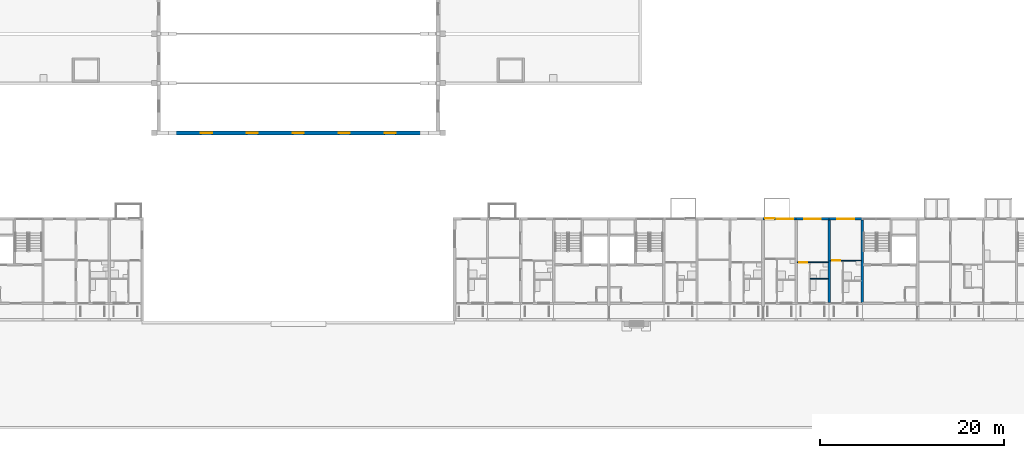
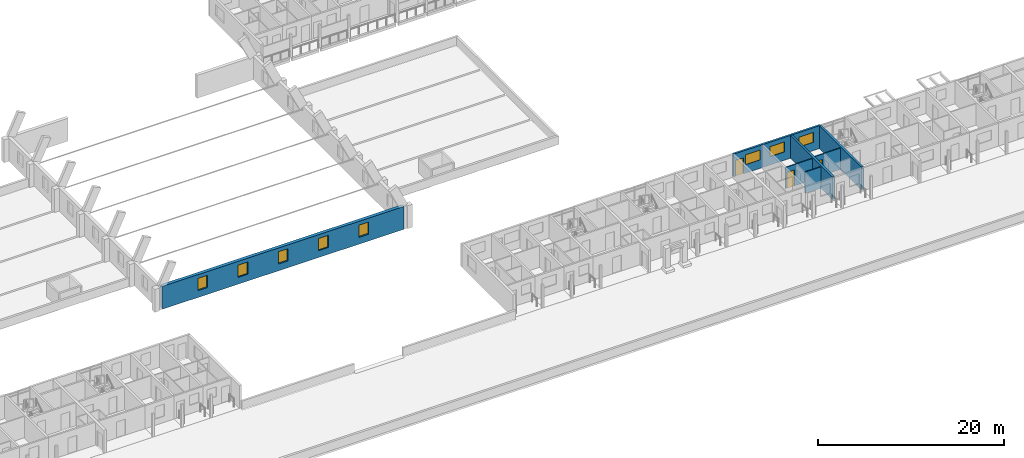
# One storey, part 60 of 115: 9 walls, 8 windows, 3 doors, 11 openings.
"""IFC4 building model written with IfcOpenShell, lengths in metres."""

from ifc_helpers import new_model, si_unit, direction, frame, frame_2d, origin, place, context, subcontext, project, spatial, rectangle, extrude, material, layer, layer_set, type_object, element, fill, save


model = new_model("IFC4")

# Units and contexts
model_context = context("Model", 3, precision=1e-05, world=origin(), true_north=direction((0.0, 1.0)))
body_context = subcontext(model_context, "Body", "Model", "MODEL_VIEW")
ifc_project = project(units=[si_unit("LENGTHUNIT", "METRE"), si_unit("AREAUNIT", "SQUARE_METRE"), si_unit("VOLUMEUNIT", "CUBIC_METRE"), si_unit("PLANEANGLEUNIT", "RADIAN"), si_unit("MASSUNIT", "GRAM", prefix="KILO")], contexts=[model_context])

# Site, building, storey
site_placement = place(None, origin())
site = spatial("IfcSite", under=ifc_project, at=site_placement, CompositionType="ELEMENT")
building_placement = place(site_placement, origin())
building = spatial("IfcBuilding", under=site, at=building_placement, Name="Ridgestep Commons", CompositionType="ELEMENT")
storey_placement = place(building_placement, frame((0.0, 0.0, 6.0)))
storey = spatial("IfcBuildingStorey", under=building, at=storey_placement, Name="L02", CompositionType="ELEMENT", Elevation=6.0)

# Walls
ifc_material_1 = material(Name="Concrete C30/37", Category="concrete")
ifc_layer_1 = layer(ifc_material_1, 0.25)
ifc_layer_set_1 = layer_set([ifc_layer_1], Name="Core cross wall 250")
wall_type_1 = type_object("IfcWallType", Name="Core cross wall 250", PredefinedType="SHEAR", material=ifc_layer_set_1)
wall_1_placement = place(storey_placement, frame((191.199951171875, 13.75, 0.0), z_axis=(0.0, 0.0, 1.0), x_axis=(0.0, 1.0, 0.0)))
element("IfcWall", 1, at=wall_1_placement, inside=storey, type_object=wall_type_1, Name="Cross wall D-02-1912", PredefinedType="SHEAR", context=body_context, shape_type="SweptSolid", body=[
    extrude(rectangle(XDim=9.0, YDim=0.25, at=frame_2d((4.5, 0.0))), origin(), (0.0, 0.0, 1.0), 3.0),
])
ifc_material_2 = material(Name="Precast concrete C40/50", Category="concrete")
ifc_layer_2 = layer(ifc_material_2, 0.25)
ifc_layer_set_2 = layer_set([ifc_layer_2], Name="Cross wall 250")
wall_type_2 = type_object("IfcWallType", Name="Cross wall 250", PredefinedType="SHEAR", material=ifc_layer_set_2)
wall_2_placement = place(storey_placement, frame((187.60009765625, 13.75, 0.0), z_axis=(0.0, 0.0, 1.0), x_axis=(0.0, 1.0, 0.0)))
element("IfcWall", 2, at=wall_2_placement, inside=storey, type_object=wall_type_2, Name="Cross wall D-02-1876", PredefinedType="SHEAR", context=body_context, shape_type="SweptSolid", body=[
    extrude(rectangle(XDim=9.0, YDim=0.25, at=frame_2d((4.5, 0.0))), origin(), (0.0, 0.0, 1.0), 3.0),
])

# Wall, openings, windows
ifc_material_3 = material(Name="Precast concrete C40/50", Category="concrete")
ifc_layer_3 = layer(ifc_material_3, 0.39990234375)
ifc_layer_set_3 = layer_set([ifc_layer_3], Name="Hall wall 400")
wall_type_3 = type_object("IfcWallType", Name="Hall wall 400", PredefinedType="SOLIDWALL", material=ifc_layer_set_3)
wall_3_placement = place(storey_placement, frame((114.800048828125, 32.199951171875, 0.0), z_axis=(0.0, 0.0, 1.0), x_axis=(1.0, 0.0, 0.0)))
wall_3 = element("IfcWall", 3, at=wall_3_placement, inside=storey, type_object=wall_type_3, Name="Hall wall 400", PredefinedType="SOLIDWALL", context=body_context, shape_type="SweptSolid", body=[
    extrude(rectangle(XDim=30.0, YDim=0.39990234375, at=frame_2d((15.0, 0.0))), origin(), (0.0, 0.0, 1.0), 3.0),
])
opening_1_placement = place(wall_3_placement, frame((4.39990234375, 0.0, 0.89990234375)))
opening_1 = element("IfcOpeningElement", 4, at=opening_1_placement, cuts=wall_3, Name="Opening WK6", PredefinedType="OPENING", context=body_context, shape_type="SweptSolid", body=[
    extrude(rectangle(XDim=1.199951171875, YDim=1.60009765625, at=frame_2d((0.60009765625, 0.800048828125))), frame((0.0, 0.2099609375, 0.0), z_axis=(0.0, -1.0, 0.0), x_axis=(1.0, 0.0, 0.0)), (0.0, 0.0, 1.0), 0.419921875),
])
opening_2_placement = place(wall_3_placement, frame((9.39990234375, 0.0, 0.89990234375)))
opening_2 = element("IfcOpeningElement", 5, at=opening_2_placement, cuts=wall_3, Name="Opening WK6", PredefinedType="OPENING", context=body_context, shape_type="SweptSolid", body=[
    extrude(rectangle(XDim=1.199951171875, YDim=1.60009765625, at=frame_2d((0.60009765625, 0.800048828125))), frame((0.0, 0.2099609375, 0.0), z_axis=(0.0, -1.0, 0.0), x_axis=(1.0, 0.0, 0.0)), (0.0, 0.0, 1.0), 0.419921875),
])
opening_3_placement = place(wall_3_placement, frame((14.39990234375, 0.0, 0.89990234375)))
opening_3 = element("IfcOpeningElement", 6, at=opening_3_placement, cuts=wall_3, Name="Opening WK6", PredefinedType="OPENING", context=body_context, shape_type="SweptSolid", body=[
    extrude(rectangle(XDim=1.199951171875, YDim=1.60009765625, at=frame_2d((0.60009765625, 0.800048828125))), frame((0.0, 0.2099609375, 0.0), z_axis=(0.0, -1.0, 0.0), x_axis=(1.0, 0.0, 0.0)), (0.0, 0.0, 1.0), 0.419921875),
])
opening_4_placement = place(wall_3_placement, frame((19.39990234375, 0.0, 0.89990234375)))
opening_4 = element("IfcOpeningElement", 7, at=opening_4_placement, cuts=wall_3, Name="Opening WK6", PredefinedType="OPENING", context=body_context, shape_type="SweptSolid", body=[
    extrude(rectangle(XDim=1.199951171875, YDim=1.60009765625, at=frame_2d((0.60009765625, 0.800048828125))), frame((0.0, 0.2099609375, 0.0), z_axis=(0.0, -1.0, 0.0), x_axis=(1.0, 0.0, 0.0)), (0.0, 0.0, 1.0), 0.419921875),
])
opening_5_placement = place(wall_3_placement, frame((24.39990234375, 0.0, 0.89990234375)))
opening_5 = element("IfcOpeningElement", 8, at=opening_5_placement, cuts=wall_3, Name="Opening WK6", PredefinedType="OPENING", context=body_context, shape_type="SweptSolid", body=[
    extrude(rectangle(XDim=1.199951171875, YDim=1.60009765625, at=frame_2d((0.60009765625, 0.800048828125))), frame((0.0, 0.2099609375, 0.0), z_axis=(0.0, -1.0, 0.0), x_axis=(1.0, 0.0, 0.0)), (0.0, 0.0, 1.0), 0.419921875),
])
ifc_material_4 = material(Name="Aluminium and glass", Category="aluminium")
window_type_1 = type_object("IfcWindowType", Name="Community high window 1200 x 1600", PartitioningType="SINGLE_PANEL", PredefinedType="WINDOW", material=ifc_material_4)
window_1_placement = place(opening_1_placement, origin())
window_1 = element("IfcWindow", 9, at=window_1_placement, inside=storey, type_object=window_type_1, Name="Community high window 1200 x 1600", OverallHeight=1.60009765625, OverallWidth=1.199951171875, PartitioningType="SINGLE_PANEL", PredefinedType="WINDOW", context=body_context, shape_type="SweptSolid", body=[
    extrude(rectangle(XDim=1.199951171875, YDim=1.60009765625, at=frame_2d((0.60009765625, 0.800048828125))), frame((0.0, 0.030029296875, 0.0), z_axis=(0.0, -1.0, 0.0), x_axis=(1.0, 0.0, 0.0)), (0.0, 0.0, 1.0), 0.06005859375),
])
fill(opening_1, window_1)
window_2_placement = place(opening_2_placement, origin())
window_2 = element("IfcWindow", 10, at=window_2_placement, inside=storey, type_object=window_type_1, Name="Community high window 1200 x 1600", OverallHeight=1.60009765625, OverallWidth=1.199951171875, PartitioningType="SINGLE_PANEL", PredefinedType="WINDOW", context=body_context, shape_type="SweptSolid", body=[
    extrude(rectangle(XDim=1.199951171875, YDim=1.60009765625, at=frame_2d((0.60009765625, 0.800048828125))), frame((0.0, 0.030029296875, 0.0), z_axis=(0.0, -1.0, 0.0), x_axis=(1.0, 0.0, 0.0)), (0.0, 0.0, 1.0), 0.06005859375),
])
fill(opening_2, window_2)
window_3_placement = place(opening_3_placement, origin())
window_3 = element("IfcWindow", 11, at=window_3_placement, inside=storey, type_object=window_type_1, Name="Community high window 1200 x 1600", OverallHeight=1.60009765625, OverallWidth=1.199951171875, PartitioningType="SINGLE_PANEL", PredefinedType="WINDOW", context=body_context, shape_type="SweptSolid", body=[
    extrude(rectangle(XDim=1.199951171875, YDim=1.60009765625, at=frame_2d((0.60009765625, 0.800048828125))), frame((0.0, 0.030029296875, 0.0), z_axis=(0.0, -1.0, 0.0), x_axis=(1.0, 0.0, 0.0)), (0.0, 0.0, 1.0), 0.06005859375),
])
fill(opening_3, window_3)
window_4_placement = place(opening_4_placement, origin())
window_4 = element("IfcWindow", 12, at=window_4_placement, inside=storey, type_object=window_type_1, Name="Community high window 1200 x 1600", OverallHeight=1.60009765625, OverallWidth=1.199951171875, PartitioningType="SINGLE_PANEL", PredefinedType="WINDOW", context=body_context, shape_type="SweptSolid", body=[
    extrude(rectangle(XDim=1.199951171875, YDim=1.60009765625, at=frame_2d((0.60009765625, 0.800048828125))), frame((0.0, 0.030029296875, 0.0), z_axis=(0.0, -1.0, 0.0), x_axis=(1.0, 0.0, 0.0)), (0.0, 0.0, 1.0), 0.06005859375),
])
fill(opening_4, window_4)
window_5_placement = place(opening_5_placement, origin())
window_5 = element("IfcWindow", 13, at=window_5_placement, inside=storey, type_object=window_type_1, Name="Community high window 1200 x 1600", OverallHeight=1.60009765625, OverallWidth=1.199951171875, PartitioningType="SINGLE_PANEL", PredefinedType="WINDOW", context=body_context, shape_type="SweptSolid", body=[
    extrude(rectangle(XDim=1.199951171875, YDim=1.60009765625, at=frame_2d((0.60009765625, 0.800048828125))), frame((0.0, 0.030029296875, 0.0), z_axis=(0.0, -1.0, 0.0), x_axis=(1.0, 0.0, 0.0)), (0.0, 0.0, 1.0), 0.06005859375),
])
fill(opening_5, window_5)

# Wall, openings, door, window
ifc_material_5 = material(Name="Precast concrete C40/50", Category="concrete")
ifc_layer_4 = layer(ifc_material_5, 0.25)
ifc_layer_set_4 = layer_set([ifc_layer_4], Name="North facade panel 250")
wall_type_4 = type_object("IfcWallType", Name="North facade panel 250", PredefinedType="SOLIDWALL", material=ifc_layer_set_4)
wall_4_placement = place(storey_placement, frame((180.39990234375, 22.875, 0.0), z_axis=(0.0, 0.0, 1.0), x_axis=(1.0, 0.0, 0.0)))
wall_4 = element("IfcWall", 14, at=wall_4_placement, inside=storey, type_object=wall_type_4, Name="North panel D3T1 L02", PredefinedType="SOLIDWALL", context=body_context, shape_type="SweptSolid", body=[
    extrude(rectangle(XDim=3.60009765625, YDim=0.25, at=frame_2d((1.800048828125, 0.0))), origin(), (0.0, 0.0, 1.0), 3.0),
])
opening_6_placement = place(wall_4_placement, frame((1.493408203125, 0.0, 1.10009765625)))
opening_6 = element("IfcOpeningElement", 15, at=opening_6_placement, cuts=wall_4, Name="Opening W18", PredefinedType="OPENING", context=body_context, shape_type="SweptSolid", body=[
    extrude(rectangle(XDim=1.800048828125, YDim=1.300048828125, at=frame_2d((0.89990234375, 0.64990234375))), frame((0.0, 0.135009765625, 0.0), z_axis=(0.0, -1.0, 0.0), x_axis=(1.0, 0.0, 0.0)), (0.0, 0.0, 1.0), 0.27001953125),
])
opening_7_placement = place(wall_4_placement, frame((0.2119140625, 0.0, 0.0)))
opening_7 = element("IfcOpeningElement", 16, at=opening_7_placement, cuts=wall_4, Name="Opening D3-02a/5", PredefinedType="OPENING", context=body_context, shape_type="SweptSolid", body=[
    extrude(rectangle(XDim=1.0, YDim=2.10009765625, at=frame_2d((0.5, 1.050048828125))), frame((0.0, 0.135009765625, 0.0), z_axis=(0.0, -1.0, 0.0), x_axis=(1.0, 0.0, 0.0)), (0.0, 0.0, 1.0), 0.27001953125),
])
ifc_material_6 = material(Name="Aluminium and glass", Category="aluminium")
door_type_1 = type_object("IfcDoorType", Name="Balcony door 1000 x 2100", OperationType="NOTDEFINED", PredefinedType="DOOR", material=ifc_material_6)
door_1_placement = place(opening_7_placement, origin())
door_1 = element("IfcDoor", 17, at=door_1_placement, inside=storey, type_object=door_type_1, Name="Balcony door D3-02a/5", OperationType="SINGLE_SWING_RIGHT", OverallHeight=2.10009765625, OverallWidth=1.0, PredefinedType="DOOR", context=body_context, shape_type="SweptSolid", body=[
    extrude(rectangle(XDim=1.0, YDim=2.10009765625, at=frame_2d((0.5, 1.050048828125))), frame((0.0, 0.02490234375, 0.0), z_axis=(0.0, -1.0, 0.0), x_axis=(1.0, 0.0, 0.0)), (0.0, 0.0, 1.0), 0.050048828125),
])
fill(opening_7, door_1)
ifc_material_7 = material(Name="Aluminium 6063-T6 and glass", Category="aluminium")
window_type_2 = type_object("IfcWindowType", Name="Flat window 1800 x 1300", PartitioningType="DOUBLE_PANEL_VERTICAL", PredefinedType="WINDOW", material=ifc_material_7)
window_6_placement = place(opening_6_placement, origin())
window_6 = element("IfcWindow", 18, at=window_6_placement, inside=storey, type_object=window_type_2, Name="Window D3-02a 2", OverallHeight=1.300048828125, OverallWidth=1.800048828125, PartitioningType="SINGLE_PANEL", PredefinedType="WINDOW", context=body_context, shape_type="SweptSolid", body=[
    extrude(rectangle(XDim=1.800048828125, YDim=1.300048828125, at=frame_2d((0.89990234375, 0.64990234375))), frame((0.0, -0.02490234375, 0.0), z_axis=(0.0, -1.0, 0.0), x_axis=(1.0, 0.0, 0.0)), (0.0, 0.0, 1.0), 0.06005859375),
])
fill(opening_6, window_6)

# Wall, opening, window
wall_5_placement = place(storey_placement, frame((184.0, 22.875, 0.0), z_axis=(0.0, 0.0, 1.0), x_axis=(1.0, 0.0, 0.0)))
wall_5 = element("IfcWall", 19, at=wall_5_placement, inside=storey, type_object=wall_type_4, Name="North panel D3T2 L02", PredefinedType="SOLIDWALL", context=body_context, shape_type="SweptSolid", body=[
    extrude(rectangle(XDim=3.60009765625, YDim=0.25, at=frame_2d((1.800048828125, 0.0))), origin(), (0.0, 0.0, 1.0), 3.0),
])
opening_8_placement = place(wall_5_placement, frame((0.89990234375, 0.0, 1.10009765625)))
opening_8 = element("IfcOpeningElement", 20, at=opening_8_placement, cuts=wall_5, Name="Opening W18", PredefinedType="OPENING", context=body_context, shape_type="SweptSolid", body=[
    extrude(rectangle(XDim=1.800048828125, YDim=1.300048828125, at=frame_2d((0.89990234375, 0.64990234375))), frame((0.0, 0.135009765625, 0.0), z_axis=(0.0, -1.0, 0.0), x_axis=(1.0, 0.0, 0.0)), (0.0, 0.0, 1.0), 0.27001953125),
])
window_7_placement = place(opening_8_placement, origin())
window_7 = element("IfcWindow", 21, at=window_7_placement, inside=storey, type_object=window_type_2, Name="Window D3-02b 2", OverallHeight=1.300048828125, OverallWidth=1.800048828125, PartitioningType="SINGLE_PANEL", PredefinedType="WINDOW", context=body_context, shape_type="SweptSolid", body=[
    extrude(rectangle(XDim=1.800048828125, YDim=1.300048828125, at=frame_2d((0.89990234375, 0.64990234375))), frame((0.0, -0.02490234375, 0.0), z_axis=(0.0, -1.0, 0.0), x_axis=(1.0, 0.0, 0.0)), (0.0, 0.0, 1.0), 0.06005859375),
])
fill(opening_8, window_7)

wall_6_placement = place(storey_placement, frame((187.60009765625, 22.875, 0.0), z_axis=(0.0, 0.0, 1.0), x_axis=(1.0, 0.0, 0.0)))
wall_6 = element("IfcWall", 22, at=wall_6_placement, inside=storey, type_object=wall_type_4, Name="North panel D3T3 L02", PredefinedType="SOLIDWALL", context=body_context, shape_type="SweptSolid", body=[
    extrude(rectangle(XDim=3.599853515625, YDim=0.25, at=frame_2d((1.7998046875, 0.0))), origin(), (0.0, 0.0, 1.0), 3.0),
])
opening_9_placement = place(wall_6_placement, frame((0.89990234375, 0.0, 1.10009765625)))
opening_9 = element("IfcOpeningElement", 23, at=opening_9_placement, cuts=wall_6, Name="Opening W18", PredefinedType="OPENING", context=body_context, shape_type="SweptSolid", body=[
    extrude(rectangle(XDim=1.800048828125, YDim=1.300048828125, at=frame_2d((0.89990234375, 0.64990234375))), frame((0.0, 0.135009765625, 0.0), z_axis=(0.0, -1.0, 0.0), x_axis=(1.0, 0.0, 0.0)), (0.0, 0.0, 1.0), 0.27001953125),
])
window_8_placement = place(opening_9_placement, origin())
window_8 = element("IfcWindow", 24, at=window_8_placement, inside=storey, type_object=window_type_2, Name="Window D3-02c 2", OverallHeight=1.300048828125, OverallWidth=1.800048828125, PartitioningType="SINGLE_PANEL", PredefinedType="WINDOW", context=body_context, shape_type="SweptSolid", body=[
    extrude(rectangle(XDim=1.800048828125, YDim=1.300048828125, at=frame_2d((0.89990234375, 0.64990234375))), frame((0.0, -0.02490234375, 0.0), z_axis=(0.0, -1.0, 0.0), x_axis=(1.0, 0.0, 0.0)), (0.0, 0.0, 1.0), 0.06005859375),
])
fill(opening_9, window_8)

# Wall
ifc_material_8 = material(Name="Common brick 110 mm", Category="masonry")
ifc_layer_5 = layer(ifc_material_8, 0.110107421875)
ifc_layer_set_5 = layer_set([ifc_layer_5], Name="Partition 110")
wall_type_5 = type_object("IfcWallType", Name="Partition 110", PredefinedType="PARTITIONING", material=ifc_layer_set_5)
wall_7_placement = place(storey_placement, frame((185.534912109375, 16.304931640625, 0.0), z_axis=(0.0, 0.0, 1.0), x_axis=(1.0, 0.0, 0.0)))
element("IfcWall", 25, at=wall_7_placement, inside=storey, type_object=wall_type_5, Name="Partition D3-02b", PredefinedType="PARTITIONING", context=body_context, shape_type="SweptSolid", body=[
    extrude(rectangle(XDim=1.940185546875, YDim=0.110107421875, at=frame_2d((0.97021484375, 0.0))), origin(), (0.0, 0.0, 1.0), 2.800048828125),
])

# Wall, opening, door
wall_8_placement = place(storey_placement, frame((184.125, 18.10498046875, 0.0), z_axis=(0.0, 0.0, 1.0), x_axis=(1.0, 0.0, 0.0)))
wall_8 = element("IfcWall", 26, at=wall_8_placement, inside=storey, type_object=wall_type_5, Name="Partition D3-02b", PredefinedType="PARTITIONING", context=body_context, shape_type="SweptSolid", body=[
    extrude(rectangle(XDim=3.35009765625, YDim=0.110107421875, at=frame_2d((1.675048828125, 0.0))), origin(), (0.0, 0.0, 1.0), 2.800048828125),
])
opening_10_placement = place(wall_8_placement, frame((0.199951171875, 0.0, 0.0)))
opening_10 = element("IfcOpeningElement", 27, at=opening_10_placement, cuts=wall_8, Name="Opening D3-02b/4", PredefinedType="OPENING", context=body_context, shape_type="SweptSolid", body=[
    extrude(rectangle(XDim=0.89990234375, YDim=2.10009765625, at=frame_2d((0.449951171875, 1.050048828125))), frame((0.0, 0.06494140625, 0.0), z_axis=(0.0, -1.0, 0.0), x_axis=(1.0, 0.0, 0.0)), (0.0, 0.0, 1.0), 0.130126953125),
])
ifc_material_9 = material(Name="Timber door leaf", Category="wood")
door_type_2 = type_object("IfcDoorType", Name="Internal door 900 x 2100", OperationType="NOTDEFINED", PredefinedType="DOOR", material=ifc_material_9)
door_2_placement = place(opening_10_placement, origin())
door_2 = element("IfcDoor", 28, at=door_2_placement, inside=storey, type_object=door_type_2, Name="Internal door D3-02b/4", OperationType="SINGLE_SWING_LEFT", OverallHeight=2.10009765625, OverallWidth=0.89990234375, PredefinedType="DOOR", context=body_context, shape_type="SweptSolid", body=[
    extrude(rectangle(XDim=0.89990234375, YDim=2.10009765625, at=frame_2d((0.449951171875, 1.050048828125))), frame((0.0, 0.02490234375, 0.0), z_axis=(0.0, -1.0, 0.0), x_axis=(1.0, 0.0, 0.0)), (0.0, 0.0, 1.0), 0.050048828125),
])
fill(opening_10, door_2)

wall_9_placement = place(storey_placement, frame((187.72509765625, 18.304931640625, 0.0), z_axis=(0.0, 0.0, 1.0), x_axis=(1.0, 0.0, 0.0)))
wall_9 = element("IfcWall", 29, at=wall_9_placement, inside=storey, type_object=wall_type_5, Name="Partition D3-02c", PredefinedType="PARTITIONING", context=body_context, shape_type="SweptSolid", body=[
    extrude(rectangle(XDim=3.349853515625, YDim=0.110107421875, at=frame_2d((1.6748046875, 0.0))), origin(), (0.0, 0.0, 1.0), 2.800048828125),
])
opening_11_placement = place(wall_9_placement, frame((0.199951171875, 0.0, 0.0)))
opening_11 = element("IfcOpeningElement", 30, at=opening_11_placement, cuts=wall_9, Name="Opening D3-02c/4", PredefinedType="OPENING", context=body_context, shape_type="SweptSolid", body=[
    extrude(rectangle(XDim=0.89990234375, YDim=2.10009765625, at=frame_2d((0.449951171875, 1.050048828125))), frame((0.0, 0.06494140625, 0.0), z_axis=(0.0, -1.0, 0.0), x_axis=(1.0, 0.0, 0.0)), (0.0, 0.0, 1.0), 0.130126953125),
])
door_3_placement = place(opening_11_placement, origin())
door_3 = element("IfcDoor", 31, at=door_3_placement, inside=storey, type_object=door_type_2, Name="Internal door D3-02c/4", OperationType="SINGLE_SWING_LEFT", OverallHeight=2.10009765625, OverallWidth=0.89990234375, PredefinedType="DOOR", context=body_context, shape_type="SweptSolid", body=[
    extrude(rectangle(XDim=0.89990234375, YDim=2.10009765625, at=frame_2d((0.449951171875, 1.050048828125))), frame((0.0, 0.02490234375, 0.0), z_axis=(0.0, -1.0, 0.0), x_axis=(1.0, 0.0, 0.0)), (0.0, 0.0, 1.0), 0.050048828125),
])
fill(opening_11, door_3)

save(model, "model.ifc")
